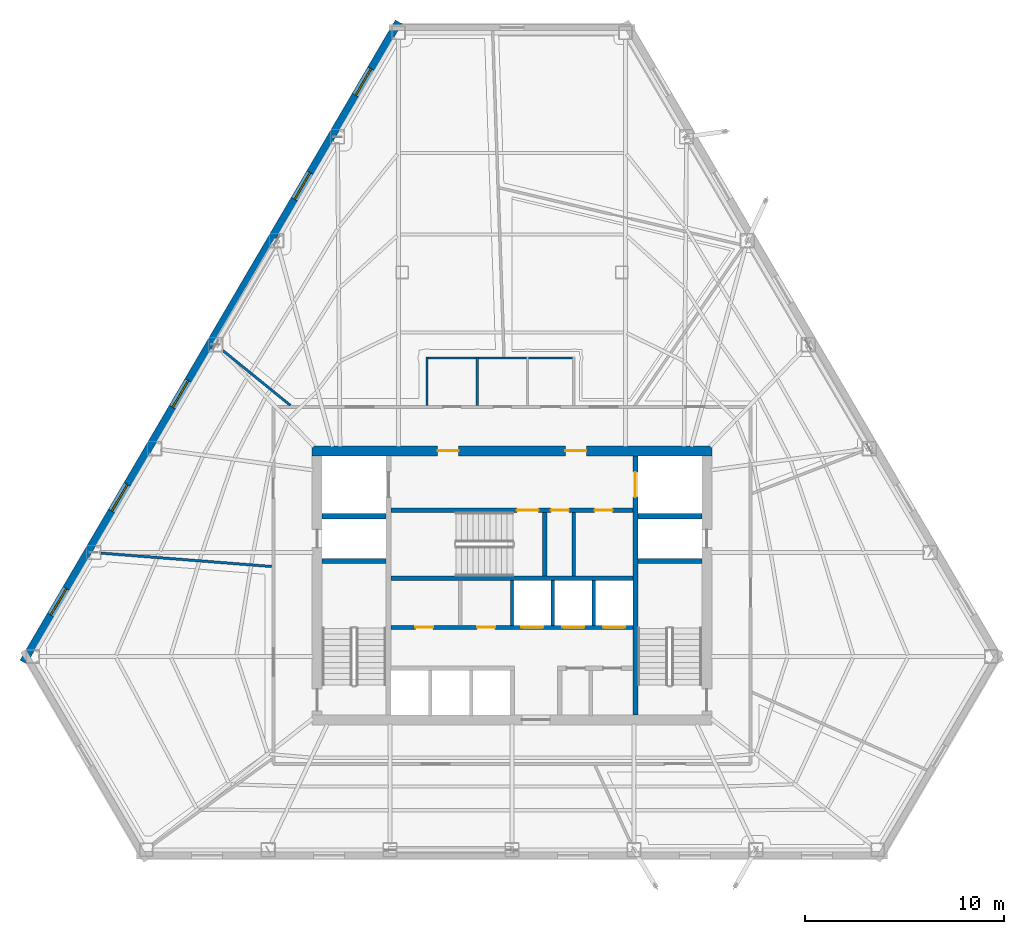
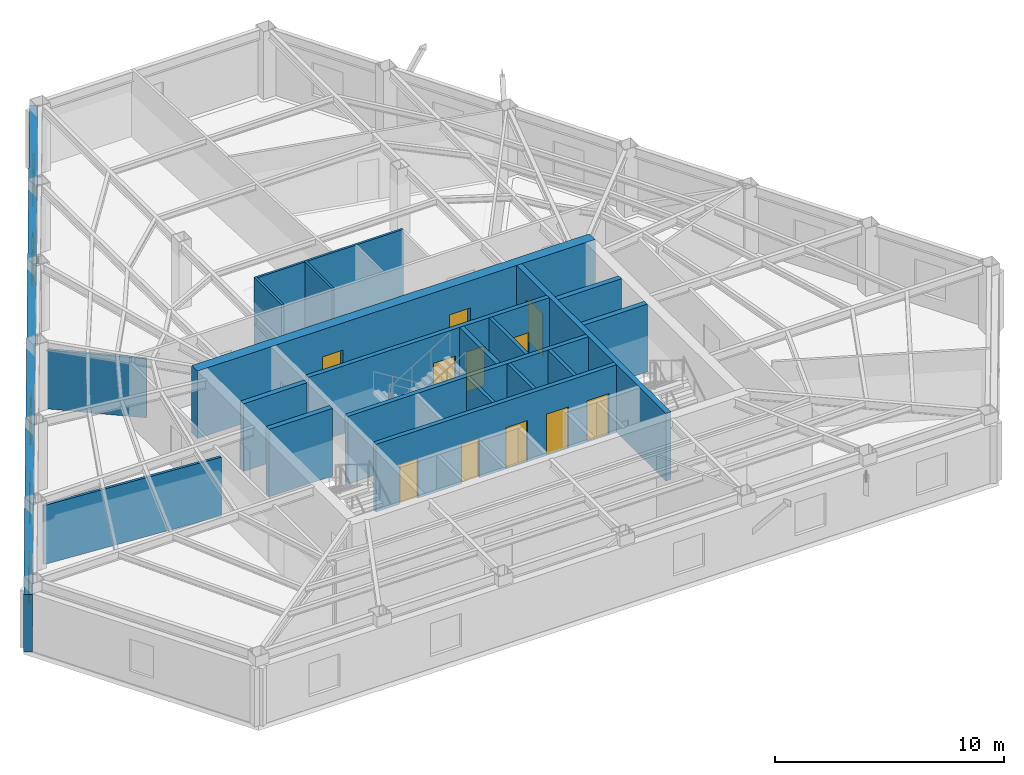
# One storey, part 9 of 13: 20 walls, 11 doors, 5 windows, 16 openings.
"""IFC4 building model written with IfcOpenShell, lengths in metres."""

from ifc_helpers import new_model, si_unit, direction, frame, frame_2d, origin, place, context, subcontext, project, spatial, rectangle, extrude, material, layer, layer_set, type_object, element, fill, save


model = new_model("IFC4")

# Units and contexts
model_context = context("Model", 3, precision=1e-05, world=origin(), true_north=direction((0.0, 1.0)))
body_context = subcontext(model_context, "Body", "Model", "MODEL_VIEW")
ifc_project = project(units=[si_unit("LENGTHUNIT", "METRE"), si_unit("AREAUNIT", "SQUARE_METRE"), si_unit("VOLUMEUNIT", "CUBIC_METRE"), si_unit("PLANEANGLEUNIT", "RADIAN"), si_unit("MASSUNIT", "GRAM", prefix="KILO")], contexts=[model_context])

# Site, building, storey
site_placement = place(None, origin())
site = spatial("IfcSite", under=ifc_project, at=site_placement, CompositionType="ELEMENT")
building_placement = place(site_placement, origin())
building = spatial("IfcBuilding", under=site, at=building_placement, Name="Kavelnor Concourse Tower", CompositionType="ELEMENT")
storey_placement = place(building_placement, frame((0.0, 0.0, 131.699951171875)))
storey = spatial("IfcBuildingStorey", under=building, at=storey_placement, Name="L33", CompositionType="ELEMENT", Elevation=131.699951171875)

# Wall, openings, doors
ifc_material_1 = material(Name="Concrete C60/75", Category="concrete")
ifc_layer_1 = layer(ifc_material_1, 0.5, Name="Concrete C60/75")
ifc_layer_set_1 = layer_set([ifc_layer_1], Name="Concrete C60/75")
wall_type_1 = type_object("IfcWallType", Name="WL-CORE-Z2-500", PredefinedType="SOLIDWALL", material=ifc_layer_set_1)
wall_1_placement = place(storey_placement, frame((27.97998046875, 22.85009765625, 0.0), z_axis=(0.0, 0.0, 1.0), x_axis=(1.0, 0.0, 0.0)))
wall_1 = element("IfcWall", 1, at=wall_1_placement, inside=storey, type_object=wall_type_1, Name="L33 Central Core North Shear Wall", PredefinedType="SOLIDWALL", context=body_context, shape_type="SweptSolid", body=[
    extrude(rectangle(XDim=20.0400390625, YDim=0.5, at=frame_2d((10.02001953125, 0.0))), origin(), (0.0, 0.0, 1.0), 3.60009765625),
])
opening_1_placement = place(wall_1_placement, frame((6.294921875, 0.0, 0.0)))
opening_1 = element("IfcOpeningElement", 2, at=opening_1_placement, cuts=wall_1, Name="Opening FD-105", PredefinedType="OPENING", context=body_context, shape_type="SweptSolid", body=[
    extrude(rectangle(XDim=1.050048828125, YDim=2.14990234375, at=frame_2d((0.52490234375, 1.074951171875))), frame((0.0, 0.260009765625, 0.0), z_axis=(0.0, -1.0, 0.0), x_axis=(1.0, 0.0, 0.0)), (0.0, 0.0, 1.0), 0.52001953125),
])
opening_2_placement = place(wall_1_placement, frame((12.695068359375, 0.0, 0.0)))
opening_2 = element("IfcOpeningElement", 3, at=opening_2_placement, cuts=wall_1, Name="Opening FD-105", PredefinedType="OPENING", context=body_context, shape_type="SweptSolid", body=[
    extrude(rectangle(XDim=1.050048828125, YDim=2.14990234375, at=frame_2d((0.52490234375, 1.074951171875))), frame((0.0, 0.260009765625, 0.0), z_axis=(0.0, -1.0, 0.0), x_axis=(1.0, 0.0, 0.0)), (0.0, 0.0, 1.0), 0.52001953125),
])
ifc_material_2 = material(Name="Steel Grade 350", Category="steel")
door_type_1 = type_object("IfcDoorType", Name="DR-LOBBY-FIRE-1050", OperationType="NOTDEFINED", PredefinedType="DOOR", material=ifc_material_2)
door_1_placement = place(opening_1_placement, origin())
door_1 = element("IfcDoor", 4, at=door_1_placement, inside=storey, type_object=door_type_1, Name="L33 Emergency Lift Lobby West Door", OperationType="SINGLE_SWING_LEFT", OverallHeight=2.14990234375, OverallWidth=1.050048828125, PredefinedType="DOOR", context=body_context, shape_type="SweptSolid", body=[
    extrude(rectangle(XDim=1.050048828125, YDim=2.14990234375, at=frame_2d((0.52490234375, 1.074951171875))), frame((0.0, 0.02490234375, 0.0), z_axis=(0.0, -1.0, 0.0), x_axis=(1.0, 0.0, 0.0)), (0.0, 0.0, 1.0), 0.050048828125),
])
fill(opening_1, door_1)
door_2_placement = place(opening_2_placement, origin())
door_2 = element("IfcDoor", 5, at=door_2_placement, inside=storey, type_object=door_type_1, Name="L33 Emergency Lift Lobby East Door", OperationType="SINGLE_SWING_RIGHT", OverallHeight=2.14990234375, OverallWidth=1.050048828125, PredefinedType="DOOR", context=body_context, shape_type="SweptSolid", body=[
    extrude(rectangle(XDim=1.050048828125, YDim=2.14990234375, at=frame_2d((0.52490234375, 1.074951171875))), frame((0.0, 0.02490234375, 0.0), z_axis=(0.0, -1.0, 0.0), x_axis=(1.0, 0.0, 0.0)), (0.0, 0.0, 1.0), 0.050048828125),
])
fill(opening_2, door_2)

# Wall, openings, windows
ifc_material_3 = material(Name="Red-ochre clay face brick masonry", Category="masonry")
ifc_layer_2 = layer(ifc_material_3, 0.3798828125, Name="Red-ochre clay face brick masonry")
ifc_layer_set_2 = layer_set([ifc_layer_2], Name="Red-ochre clay face brick masonry")
wall_type_2 = type_object("IfcWallType", Name="WL-EXT-RED-BRICK-PIER-380", PredefinedType="STANDARD", material=ifc_layer_set_2)
wall_2_placement = place(storey_placement, frame((13.48486328125, 12.25439453125, 0.0), z_axis=(0.0, 0.0, 1.0), x_axis=(0.505829244079, 0.862633627813, 0.0)))
wall_2 = element("IfcWall", 6, at=wall_2_placement, inside=storey, type_object=wall_type_2, Name="L33 Exterior Brick Facade Wall E1", PredefinedType="STANDARD", context=body_context, shape_type="SweptSolid", body=[
    extrude(rectangle(XDim=37.22265625, YDim=0.3798828125, at=frame_2d((18.611328125, 0.0))), origin(), (0.0, 0.0, 1.0), 3.05908203125),
])
opening_3_placement = place(wall_2_placement, frame((32.95068359375, 0.0, 0.64990234375)))
opening_3 = element("IfcOpeningElement", 7, at=opening_3_placement, cuts=wall_2, Name="Opening W-02", PredefinedType="OPENING", context=body_context, shape_type="SweptSolid", body=[
    extrude(rectangle(XDim=1.550048828125, YDim=1.75, at=frame_2d((0.77490234375, 0.875))), frame((0.0, 0.199951171875, 0.0), z_axis=(0.0, -1.0, 0.0), x_axis=(1.0, 0.0, 0.0)), (0.0, 0.0, 1.0), 0.39990234375),
])
opening_4_placement = place(wall_2_placement, frame((26.90625, 0.0, 0.64990234375)))
opening_4 = element("IfcOpeningElement", 8, at=opening_4_placement, cuts=wall_2, Name="Opening W-02", PredefinedType="OPENING", context=body_context, shape_type="SweptSolid", body=[
    extrude(rectangle(XDim=1.550048828125, YDim=1.75, at=frame_2d((0.77490234375, 0.875))), frame((0.0, 0.199951171875, 0.0), z_axis=(0.0, -1.0, 0.0), x_axis=(1.0, 0.0, 0.0)), (0.0, 0.0, 1.0), 0.39990234375),
])
opening_5_placement = place(wall_2_placement, frame((14.8173828125, 0.0, 0.64990234375)))
opening_5 = element("IfcOpeningElement", 9, at=opening_5_placement, cuts=wall_2, Name="Opening W-02", PredefinedType="OPENING", context=body_context, shape_type="SweptSolid", body=[
    extrude(rectangle(XDim=1.550048828125, YDim=1.75, at=frame_2d((0.77490234375, 0.875))), frame((0.0, 0.199951171875, 0.0), z_axis=(0.0, -1.0, 0.0), x_axis=(1.0, 0.0, 0.0)), (0.0, 0.0, 1.0), 0.39990234375),
])
opening_6_placement = place(wall_2_placement, frame((8.773193359375, 0.0, 0.64990234375)))
opening_6 = element("IfcOpeningElement", 10, at=opening_6_placement, cuts=wall_2, Name="Opening W-02", PredefinedType="OPENING", context=body_context, shape_type="SweptSolid", body=[
    extrude(rectangle(XDim=1.550048828125, YDim=1.75, at=frame_2d((0.77490234375, 0.875))), frame((0.0, 0.199951171875, 0.0), z_axis=(0.0, -1.0, 0.0), x_axis=(1.0, 0.0, 0.0)), (0.0, 0.0, 1.0), 0.39990234375),
])
opening_7_placement = place(wall_2_placement, frame((2.728759765625, 0.0, 0.64990234375)))
opening_7 = element("IfcOpeningElement", 11, at=opening_7_placement, cuts=wall_2, Name="Opening W-02", PredefinedType="OPENING", context=body_context, shape_type="SweptSolid", body=[
    extrude(rectangle(XDim=1.550048828125, YDim=1.75, at=frame_2d((0.77490234375, 0.875))), frame((0.0, 0.199951171875, 0.0), z_axis=(0.0, -1.0, 0.0), x_axis=(1.0, 0.0, 0.0)), (0.0, 0.0, 1.0), 0.39990234375),
])
ifc_material_4 = material(Name="Double low-E argon insulated glazing", Category="glass")
window_type = type_object("IfcWindowType", Name="WIN-PIER-Z2-1650", PartitioningType="SINGLE_PANEL", PredefinedType="WINDOW", material=ifc_material_4)
window_1_placement = place(opening_3_placement, origin())
window_1 = element("IfcWindow", 12, at=window_1_placement, inside=storey, type_object=window_type, Name="L33 Deep-Set Brick Pier Window F0-B0", OverallHeight=1.75, OverallWidth=1.550048828125, PartitioningType="SINGLE_PANEL", PredefinedType="WINDOW", context=body_context, shape_type="SweptSolid", body=[
    extrude(rectangle(XDim=1.550048828125, YDim=1.75, at=frame_2d((0.77490234375, 0.875))), frame((0.0, 0.030029296875, 0.0), z_axis=(0.0, -1.0, 0.0), x_axis=(1.0, 0.0, 0.0)), (0.0, 0.0, 1.0), 0.06005859375),
])
fill(opening_3, window_1)
window_2_placement = place(opening_4_placement, origin())
window_2 = element("IfcWindow", 13, at=window_2_placement, inside=storey, type_object=window_type, Name="L33 Deep-Set Brick Pier Window F0-B1", OverallHeight=1.75, OverallWidth=1.550048828125, PartitioningType="SINGLE_PANEL", PredefinedType="WINDOW", context=body_context, shape_type="SweptSolid", body=[
    extrude(rectangle(XDim=1.550048828125, YDim=1.75, at=frame_2d((0.77490234375, 0.875))), frame((0.0, 0.030029296875, 0.0), z_axis=(0.0, -1.0, 0.0), x_axis=(1.0, 0.0, 0.0)), (0.0, 0.0, 1.0), 0.06005859375),
])
fill(opening_4, window_2)
window_3_placement = place(opening_5_placement, origin())
window_3 = element("IfcWindow", 14, at=window_3_placement, inside=storey, type_object=window_type, Name="L33 Deep-Set Brick Pier Window F0-B3", OverallHeight=1.75, OverallWidth=1.550048828125, PartitioningType="SINGLE_PANEL", PredefinedType="WINDOW", context=body_context, shape_type="SweptSolid", body=[
    extrude(rectangle(XDim=1.550048828125, YDim=1.75, at=frame_2d((0.77490234375, 0.875))), frame((0.0, 0.030029296875, 0.0), z_axis=(0.0, -1.0, 0.0), x_axis=(1.0, 0.0, 0.0)), (0.0, 0.0, 1.0), 0.06005859375),
])
fill(opening_5, window_3)
window_4_placement = place(opening_6_placement, origin())
window_4 = element("IfcWindow", 15, at=window_4_placement, inside=storey, type_object=window_type, Name="L33 Deep-Set Brick Pier Window F0-B4", OverallHeight=1.75, OverallWidth=1.550048828125, PartitioningType="SINGLE_PANEL", PredefinedType="WINDOW", context=body_context, shape_type="SweptSolid", body=[
    extrude(rectangle(XDim=1.550048828125, YDim=1.75, at=frame_2d((0.77490234375, 0.875))), frame((0.0, 0.030029296875, 0.0), z_axis=(0.0, -1.0, 0.0), x_axis=(1.0, 0.0, 0.0)), (0.0, 0.0, 1.0), 0.06005859375),
])
fill(opening_6, window_4)
window_5_placement = place(opening_7_placement, origin())
window_5 = element("IfcWindow", 16, at=window_5_placement, inside=storey, type_object=window_type, Name="L33 Deep-Set Brick Pier Window F0-B5", OverallHeight=1.75, OverallWidth=1.550048828125, PartitioningType="SINGLE_PANEL", PredefinedType="WINDOW", context=body_context, shape_type="SweptSolid", body=[
    extrude(rectangle(XDim=1.550048828125, YDim=1.75, at=frame_2d((0.77490234375, 0.875))), frame((0.0, 0.030029296875, 0.0), z_axis=(0.0, -1.0, 0.0), x_axis=(1.0, 0.0, 0.0)), (0.0, 0.0, 1.0), 0.06005859375),
])
fill(opening_7, window_5)

# Walls
ifc_material_5 = material(Name="Gypsum plasterboard on light-gauge steel studs", Category="steel")
ifc_layer_3 = layer(ifc_material_5, 0.1650390625, Name="Gypsum plasterboard on light-gauge steel studs")
ifc_layer_set_3 = layer_set([ifc_layer_3], Name="Gypsum plasterboard on light-gauge steel studs")
wall_type_3 = type_object("IfcWallType", Name="WL-INT-FIRE-165", PredefinedType="PARTITIONING", material=ifc_layer_set_3)
for number, where, z_axis, x_axis, name in (
    (17, (38.0, 14.10009765625, 0.0), (0.0, 0.0, 1.0), (0.0, 1.0, 0.0), "L33 Reclaimed Core Zone Partition"),
    (18, (40.050048828125, 14.10009765625, 0.0), (0.0, 0.0, 1.0), (0.0, 1.0, 0.0), "L33 Lift Shaft Divider LP4"),
    (19, (42.10009765625, 14.10009765625, 0.0), (0.0, 0.0, 1.0), (0.0, 1.0, 0.0), "L33 Lift Shaft Divider LP5"),
):
    element("IfcWall", number, at=place(storey_placement, frame(where, z_axis=z_axis, x_axis=x_axis)), inside=storey, type_object=wall_type_3, Name=name, PredefinedType="PARTITIONING", context=body_context, shape_type="SweptSolid", body=[
        extrude(rectangle(XDim=2.239990234375, YDim=0.1650390625, at=frame_2d((1.1201171875, 0.0))), origin(), (0.0, 0.0, 1.0), 3.60009765625),
    ])
wall_3_placement = place(storey_placement, frame((41.10009765625, 16.56005859375, 0.0), z_axis=(0.0, 0.0, 1.0), x_axis=(0.0, 1.0, 0.0)))
element("IfcWall", 20, at=wall_3_placement, inside=storey, type_object=wall_type_3, Name="L33 Core Support West Divider", PredefinedType="PARTITIONING", context=body_context, shape_type="SweptSolid", body=[
    extrude(rectangle(XDim=3.199951171875, YDim=0.1650390625, at=frame_2d((1.60009765625, 0.0))), origin(), (0.0, 0.0, 1.0), 3.60009765625),
])
ifc_layer_4 = layer(ifc_material_5, 0.125, Name="Gypsum plasterboard on light-gauge steel studs")
ifc_layer_set_4 = layer_set([ifc_layer_4], Name="Gypsum plasterboard on light-gauge steel studs")
wall_type_4 = type_object("IfcWallType", Name="WL-INT-SUITE-125", PredefinedType="PARTITIONING", material=ifc_layer_set_4)
wall_4_placement = place(storey_placement, frame((26.88232421875, 25.130615234375, 0.0), z_axis=(0.0, 0.0, 1.0), x_axis=(-0.776187723066, 0.630501878317, 0.0)))
element("IfcWall", 21, at=wall_4_placement, inside=storey, type_object=wall_type_4, Name="L33 Radial Suite Partition 04", PredefinedType="PARTITIONING", context=body_context, shape_type="SweptSolid", body=[
    extrude(rectangle(XDim=4.35546875, YDim=0.125, at=frame_2d((2.177734375, 0.0))), origin(), (0.0, 0.0, 1.0), 3.14111328125),
])
wall_5_placement = place(storey_placement, frame((25.949462890625, 17.046142578125, 0.0), z_axis=(0.0, 0.0, 1.0), x_axis=(-0.996931335541, 0.078280982467, 0.0)))
element("IfcWall", 22, at=wall_5_placement, inside=storey, type_object=wall_type_4, Name="L33 Radial Suite Partition 05", PredefinedType="PARTITIONING", context=body_context, shape_type="SweptSolid", body=[
    extrude(rectangle(XDim=8.589111328125, YDim=0.125, at=frame_2d((4.29443359375, 0.0))), origin(), (0.0, 0.0, 1.0), 3.14111328125),
])
ifc_layer_5 = layer(ifc_material_5, 0.110107421875, Name="Gypsum plasterboard on light-gauge steel studs")
ifc_layer_set_5 = layer_set([ifc_layer_5], Name="Gypsum plasterboard on light-gauge steel studs")
wall_type_5 = type_object("IfcWallType", Name="WL-INT-WC-110", PredefinedType="PLUMBINGWALL", material=ifc_layer_set_5)
for number, where, z_axis, x_axis, name in (
    (23, (33.739990234375, 25.1201171875, 0.0), (0.0, 0.0, 1.0), (0.0, 1.0, 0.0), "L33 Sanitary Partition WL-L33-WC-W"),
    (24, (36.260009765625, 25.1201171875, 0.0), (0.0, 0.0, 1.0), (0.0, 1.0, 0.0), "L33 Sanitary Partition WL-L33-WC-D1"),
):
    element("IfcWall", number, at=place(storey_placement, frame(where, z_axis=z_axis, x_axis=x_axis)), inside=storey, type_object=wall_type_5, Name=name, PredefinedType="PLUMBINGWALL", context=body_context, shape_type="SweptSolid", body=[
        extrude(rectangle(XDim=2.43994140625, YDim=0.110107421875, at=frame_2d((1.219970703125, 0.0))), origin(), (0.0, 0.0, 1.0), 3.60009765625),
    ])
wall_6_placement = place(storey_placement, frame((33.68994140625, 27.5, 0.0), z_axis=(0.0, 0.0, 1.0), x_axis=(1.0, 0.0, 0.0)))
element("IfcWall", 25, at=wall_6_placement, inside=storey, type_object=wall_type_5, Name="L33 Sanitary Partition WL-L33-WC-N", PredefinedType="PLUMBINGWALL", context=body_context, shape_type="SweptSolid", body=[
    extrude(rectangle(XDim=7.4599609375, YDim=0.110107421875, at=frame_2d((3.72998046875, 0.0))), origin(), (0.0, 0.0, 1.0), 3.60009765625),
])

# Wall, openings, doors
ifc_material_6 = material(Name="Concrete C50/60", Category="concrete")
ifc_layer_6 = layer(ifc_material_6, 0.219970703125, Name="Concrete C50/60")
ifc_layer_set_6 = layer_set([ifc_layer_6], Name="Concrete C50/60")
wall_type_6 = type_object("IfcWallType", Name="WL-SHAFT-220", PredefinedType="SOLIDWALL", material=ifc_layer_set_6)
wall_7_placement = place(storey_placement, frame((31.93994140625, 19.8701171875, 0.0), z_axis=(0.0, 0.0, 1.0), x_axis=(1.0, 0.0, 0.0)))
wall_7 = element("IfcWall", 26, at=wall_7_placement, inside=storey, type_object=wall_type_6, Name="L33 Emergency Lift Lobby South Wall", PredefinedType="SOLIDWALL", context=body_context, shape_type="SweptSolid", body=[
    extrude(rectangle(XDim=12.1201171875, YDim=0.219970703125, at=frame_2d((6.06005859375, 0.0))), origin(), (0.0, 0.0, 1.0), 3.60009765625),
])
opening_8_placement = place(wall_7_placement, frame((6.300048828125, 0.0, 0.0)))
opening_8 = element("IfcOpeningElement", 27, at=opening_8_placement, cuts=wall_7, Name="Opening FD-110", PredefinedType="OPENING", context=body_context, shape_type="SweptSolid", body=[
    extrude(rectangle(XDim=1.10009765625, YDim=2.14990234375, at=frame_2d((0.550048828125, 1.074951171875))), frame((0.0, 0.1201171875, 0.0), z_axis=(0.0, -1.0, 0.0), x_axis=(1.0, 0.0, 0.0)), (0.0, 0.0, 1.0), 0.239990234375),
])
opening_9_placement = place(wall_7_placement, frame((8.010009765625, 0.0, 0.0)))
opening_9 = element("IfcOpeningElement", 28, at=opening_9_placement, cuts=wall_7, Name="Opening FD-090", PredefinedType="OPENING", context=body_context, shape_type="SweptSolid", body=[
    extrude(rectangle(XDim=0.89990234375, YDim=2.10009765625, at=frame_2d((0.449951171875, 1.050048828125))), frame((0.0, 0.1201171875, 0.0), z_axis=(0.0, -1.0, 0.0), x_axis=(1.0, 0.0, 0.0)), (0.0, 0.0, 1.0), 0.239990234375),
])
opening_10_placement = place(wall_7_placement, frame((10.2099609375, 0.0, 0.0)))
opening_10 = element("IfcOpeningElement", 29, at=opening_10_placement, cuts=wall_7, Name="Opening FD-090", PredefinedType="OPENING", context=body_context, shape_type="SweptSolid", body=[
    extrude(rectangle(XDim=0.89990234375, YDim=2.10009765625, at=frame_2d((0.449951171875, 1.050048828125))), frame((0.0, 0.1201171875, 0.0), z_axis=(0.0, -1.0, 0.0), x_axis=(1.0, 0.0, 0.0)), (0.0, 0.0, 1.0), 0.239990234375),
])
door_type_2 = type_object("IfcDoorType", Name="DR-RISER-FIRE-900", OperationType="NOTDEFINED", PredefinedType="DOOR", material=ifc_material_2)
door_3_placement = place(opening_9_placement, origin())
door_3 = element("IfcDoor", 30, at=door_3_placement, inside=storey, type_object=door_type_2, Name="L33 Cleaner Door", OperationType="SINGLE_SWING_RIGHT", OverallHeight=2.10009765625, OverallWidth=0.89990234375, PredefinedType="DOOR", context=body_context, shape_type="SweptSolid", body=[
    extrude(rectangle(XDim=0.89990234375, YDim=2.10009765625, at=frame_2d((0.449951171875, 1.050048828125))), frame((0.0, 0.02490234375, 0.0), z_axis=(0.0, -1.0, 0.0), x_axis=(1.0, 0.0, 0.0)), (0.0, 0.0, 1.0), 0.050048828125),
])
fill(opening_9, door_3)
door_4_placement = place(opening_10_placement, origin())
door_4 = element("IfcDoor", 31, at=door_4_placement, inside=storey, type_object=door_type_2, Name="L33 UPS Room Door", OperationType="SINGLE_SWING_LEFT", OverallHeight=2.10009765625, OverallWidth=0.89990234375, PredefinedType="DOOR", context=body_context, shape_type="SweptSolid", body=[
    extrude(rectangle(XDim=0.89990234375, YDim=2.10009765625, at=frame_2d((0.449951171875, 1.050048828125))), frame((0.0, 0.02490234375, 0.0), z_axis=(0.0, -1.0, 0.0), x_axis=(1.0, 0.0, 0.0)), (0.0, 0.0, 1.0), 0.050048828125),
])
fill(opening_10, door_4)
door_type_3 = type_object("IfcDoorType", Name="DR-STAIR-FIRE-1100", OperationType="NOTDEFINED", PredefinedType="DOOR", material=ifc_material_2)
door_5_placement = place(opening_8_placement, origin())
door_5 = element("IfcDoor", 32, at=door_5_placement, inside=storey, type_object=door_type_3, Name="L33 Stair ST3 Fire Door", OperationType="SINGLE_SWING_LEFT", OverallHeight=2.14990234375, OverallWidth=1.10009765625, PredefinedType="DOOR", context=body_context, shape_type="SweptSolid", body=[
    extrude(rectangle(XDim=1.10009765625, YDim=2.14990234375, at=frame_2d((0.550048828125, 1.074951171875))), frame((0.0, 0.02490234375, 0.0), z_axis=(0.0, -1.0, 0.0), x_axis=(1.0, 0.0, 0.0)), (0.0, 0.0, 1.0), 0.050048828125),
])
fill(opening_8, door_5)

# Walls
wall_8_placement = place(storey_placement, frame((31.93994140625, 16.449951171875, 0.0), z_axis=(0.0, 0.0, 1.0), x_axis=(1.0, 0.0, 0.0)))
element("IfcWall", 33, at=wall_8_placement, inside=storey, type_object=wall_type_6, Name="L33 Stair ST3 South Core Wall", PredefinedType="SOLIDWALL", context=body_context, shape_type="SweptSolid", body=[
    extrude(rectangle(XDim=12.1201171875, YDim=0.219970703125, at=frame_2d((6.06005859375, 0.0))), origin(), (0.0, 0.0, 1.0), 3.60009765625),
])
wall_9_placement = place(storey_placement, frame((39.64990234375, 16.56005859375, 0.0), z_axis=(0.0, 0.0, 1.0), x_axis=(0.0, 1.0, 0.0)))
element("IfcWall", 34, at=wall_9_placement, inside=storey, type_object=wall_type_6, Name="L33 Stair ST3 East Core Wall", PredefinedType="SOLIDWALL", context=body_context, shape_type="SweptSolid", body=[
    extrude(rectangle(XDim=3.199951171875, YDim=0.219970703125, at=frame_2d((1.60009765625, 0.0))), origin(), (0.0, 0.0, 1.0), 3.60009765625),
])

# Wall, openings, doors
wall_10_placement = place(storey_placement, frame((31.93994140625, 13.989990234375, 0.0), z_axis=(0.0, 0.0, 1.0), x_axis=(1.0, 0.0, 0.0)))
wall_10 = element("IfcWall", 35, at=wall_10_placement, inside=storey, type_object=wall_type_6, Name="L33 North Lift Row Shaft Wall", PredefinedType="SOLIDWALL", context=body_context, shape_type="SweptSolid", body=[
    extrude(rectangle(XDim=12.1201171875, YDim=0.219970703125, at=frame_2d((6.06005859375, 0.0))), origin(), (0.0, 0.0, 1.0), 3.60009765625),
])
opening_11_placement = place(wall_10_placement, frame((1.2099609375, 0.0, 0.0)))
opening_11 = element("IfcOpeningElement", 36, at=opening_11_placement, cuts=wall_10, Name="Opening FD-090", PredefinedType="OPENING", context=body_context, shape_type="SweptSolid", body=[
    extrude(rectangle(XDim=0.89990234375, YDim=2.10009765625, at=frame_2d((0.449951171875, 1.050048828125))), frame((0.0, 0.1201171875, 0.0), z_axis=(0.0, -1.0, 0.0), x_axis=(1.0, 0.0, 0.0)), (0.0, 0.0, 1.0), 0.239990234375),
])
opening_12_placement = place(wall_10_placement, frame((4.31005859375, 0.0, 0.0)))
opening_12 = element("IfcOpeningElement", 37, at=opening_12_placement, cuts=wall_10, Name="Opening FD-090", PredefinedType="OPENING", context=body_context, shape_type="SweptSolid", body=[
    extrude(rectangle(XDim=0.89990234375, YDim=2.10009765625, at=frame_2d((0.449951171875, 1.050048828125))), frame((0.0, 0.1201171875, 0.0), z_axis=(0.0, -1.0, 0.0), x_axis=(1.0, 0.0, 0.0)), (0.0, 0.0, 1.0), 0.239990234375),
])
opening_13_placement = place(wall_10_placement, frame((6.534912109375, 0.0, 0.0)))
opening_13 = element("IfcOpeningElement", 38, at=opening_13_placement, cuts=wall_10, Name="Opening LD-110", PredefinedType="OPENING", context=body_context, shape_type="SweptSolid", body=[
    extrude(rectangle(XDim=1.10009765625, YDim=2.199951171875, at=frame_2d((0.550048828125, 1.10009765625))), frame((0.0, 0.1201171875, 0.0), z_axis=(0.0, -1.0, 0.0), x_axis=(1.0, 0.0, 0.0)), (0.0, 0.0, 1.0), 0.239990234375),
])
opening_14_placement = place(wall_10_placement, frame((8.5849609375, 0.0, 0.0)))
opening_14 = element("IfcOpeningElement", 39, at=opening_14_placement, cuts=wall_10, Name="Opening LD-110", PredefinedType="OPENING", context=body_context, shape_type="SweptSolid", body=[
    extrude(rectangle(XDim=1.10009765625, YDim=2.199951171875, at=frame_2d((0.550048828125, 1.10009765625))), frame((0.0, 0.1201171875, 0.0), z_axis=(0.0, -1.0, 0.0), x_axis=(1.0, 0.0, 0.0)), (0.0, 0.0, 1.0), 0.239990234375),
])
opening_15_placement = place(wall_10_placement, frame((10.635009765625, 0.0, 0.0)))
opening_15 = element("IfcOpeningElement", 40, at=opening_15_placement, cuts=wall_10, Name="Opening LD-110", PredefinedType="OPENING", context=body_context, shape_type="SweptSolid", body=[
    extrude(rectangle(XDim=1.10009765625, YDim=2.199951171875, at=frame_2d((0.550048828125, 1.10009765625))), frame((0.0, 0.1201171875, 0.0), z_axis=(0.0, -1.0, 0.0), x_axis=(1.0, 0.0, 0.0)), (0.0, 0.0, 1.0), 0.239990234375),
])
door_type_4 = type_object("IfcDoorType", Name="DR-LIFT-SLIDING-1100", OperationType="NOTDEFINED", PredefinedType="DOOR", material=ifc_material_2)
door_6_placement = place(opening_13_placement, origin())
door_6 = element("IfcDoor", 41, at=door_6_placement, inside=storey, type_object=door_type_4, Name="L33 Lift LP4 Landing Door", OperationType="DOUBLE_DOOR_SLIDING", OverallHeight=2.199951171875, OverallWidth=1.10009765625, PredefinedType="DOOR", context=body_context, shape_type="SweptSolid", body=[
    extrude(rectangle(XDim=1.10009765625, YDim=2.199951171875, at=frame_2d((0.550048828125, 1.10009765625))), frame((0.0, 0.02490234375, 0.0), z_axis=(0.0, -1.0, 0.0), x_axis=(1.0, 0.0, 0.0)), (0.0, 0.0, 1.0), 0.050048828125),
])
fill(opening_13, door_6)
door_7_placement = place(opening_14_placement, origin())
door_7 = element("IfcDoor", 42, at=door_7_placement, inside=storey, type_object=door_type_4, Name="L33 Lift LP5 Landing Door", OperationType="DOUBLE_DOOR_SLIDING", OverallHeight=2.199951171875, OverallWidth=1.10009765625, PredefinedType="DOOR", context=body_context, shape_type="SweptSolid", body=[
    extrude(rectangle(XDim=1.10009765625, YDim=2.199951171875, at=frame_2d((0.550048828125, 1.10009765625))), frame((0.0, 0.02490234375, 0.0), z_axis=(0.0, -1.0, 0.0), x_axis=(1.0, 0.0, 0.0)), (0.0, 0.0, 1.0), 0.050048828125),
])
fill(opening_14, door_7)
door_8_placement = place(opening_15_placement, origin())
door_8 = element("IfcDoor", 43, at=door_8_placement, inside=storey, type_object=door_type_4, Name="L33 Lift LP6 Landing Door", OperationType="DOUBLE_DOOR_SLIDING", OverallHeight=2.199951171875, OverallWidth=1.10009765625, PredefinedType="DOOR", context=body_context, shape_type="SweptSolid", body=[
    extrude(rectangle(XDim=1.10009765625, YDim=2.199951171875, at=frame_2d((0.550048828125, 1.10009765625))), frame((0.0, 0.02490234375, 0.0), z_axis=(0.0, -1.0, 0.0), x_axis=(1.0, 0.0, 0.0)), (0.0, 0.0, 1.0), 0.050048828125),
])
fill(opening_15, door_8)
door_9_placement = place(opening_11_placement, origin())
door_9 = element("IfcDoor", 44, at=door_9_placement, inside=storey, type_object=door_type_2, Name="L33 Core Tea Pantry Door", OperationType="SINGLE_SWING_RIGHT", OverallHeight=2.10009765625, OverallWidth=0.89990234375, PredefinedType="DOOR", context=body_context, shape_type="SweptSolid", body=[
    extrude(rectangle(XDim=0.89990234375, YDim=2.10009765625, at=frame_2d((0.449951171875, 1.050048828125))), frame((0.0, 0.02490234375, 0.0), z_axis=(0.0, -1.0, 0.0), x_axis=(1.0, 0.0, 0.0)), (0.0, 0.0, 1.0), 0.050048828125),
])
fill(opening_11, door_9)
door_10_placement = place(opening_12_placement, origin())
door_10 = element("IfcDoor", 45, at=door_10_placement, inside=storey, type_object=door_type_2, Name="L33 Archive Store Door", OperationType="SINGLE_SWING_LEFT", OverallHeight=2.10009765625, OverallWidth=0.89990234375, PredefinedType="DOOR", context=body_context, shape_type="SweptSolid", body=[
    extrude(rectangle(XDim=0.89990234375, YDim=2.10009765625, at=frame_2d((0.449951171875, 1.050048828125))), frame((0.0, 0.02490234375, 0.0), z_axis=(0.0, -1.0, 0.0), x_axis=(1.0, 0.0, 0.0)), (0.0, 0.0, 1.0), 0.050048828125),
])
fill(opening_12, door_10)

# Wall, opening, door
ifc_layer_7 = layer(ifc_material_6, 0.260009765625, Name="Concrete C50/60")
ifc_layer_set_7 = layer_set([ifc_layer_7], Name="Concrete C50/60")
wall_type_7 = type_object("IfcWallType", Name="WL-SHAFT-260", PredefinedType="SHEAR", material=ifc_layer_set_7)
wall_11_placement = place(storey_placement, frame((44.18994140625, 9.60009765625, 0.0), z_axis=(0.0, 0.0, 1.0), x_axis=(0.0, 1.0, 0.0)))
wall_11 = element("IfcWall", 46, at=wall_11_placement, inside=storey, type_object=wall_type_7, Name="L33 Core East Wing Shear Wall", PredefinedType="SHEAR", context=body_context, shape_type="SweptSolid", body=[
    extrude(rectangle(XDim=13.0, YDim=0.260009765625, at=frame_2d((6.5, 0.0))), origin(), (0.0, 0.0, 1.0), 3.60009765625),
])
opening_16_placement = place(wall_11_placement, frame((10.925048828125, 0.0, 0.0)))
opening_16 = element("IfcOpeningElement", 47, at=opening_16_placement, cuts=wall_11, Name="Opening LD-125", PredefinedType="OPENING", context=body_context, shape_type="SweptSolid", body=[
    extrude(rectangle(XDim=1.25, YDim=2.25, at=frame_2d((0.625, 1.125))), frame((0.0, 0.14013671875, 0.0), z_axis=(0.0, -1.0, 0.0), x_axis=(1.0, 0.0, 0.0)), (0.0, 0.0, 1.0), 0.280029296875),
])
door_type_5 = type_object("IfcDoorType", Name="DR-LIFT-SLIDING-1250", OperationType="NOTDEFINED", PredefinedType="DOOR", material=ifc_material_2)
door_11_placement = place(opening_16_placement, origin())
door_11 = element("IfcDoor", 48, at=door_11_placement, inside=storey, type_object=door_type_5, Name="L33 Emergency Lift FL2 Landing Door", OperationType="DOUBLE_DOOR_SLIDING", OverallHeight=2.25, OverallWidth=1.25, PredefinedType="DOOR", context=body_context, shape_type="SweptSolid", body=[
    extrude(rectangle(XDim=1.25, YDim=2.25, at=frame_2d((0.625, 1.125))), frame((0.0, 0.02490234375, 0.0), z_axis=(0.0, -1.0, 0.0), x_axis=(1.0, 0.0, 0.0)), (0.0, 0.0, 1.0), 0.050048828125),
])
fill(opening_16, door_11)

# Walls
for number, where, z_axis, x_axis, name in (
    (49, (28.47998046875, 17.330078125, 0.0), (0.0, 0.0, 1.0), (1.0, 0.0, 0.0), "L33 Stair ST1 North Shaft Wall"),
    (50, (28.47998046875, 19.570068359375, 0.0), (0.0, 0.0, 1.0), (1.0, 0.0, 0.0), "L33 Emergency Lift FL1 South Shaft Wall"),
    (51, (44.320068359375, 17.330078125, 0.0), (0.0, 0.0, 1.0), (1.0, 0.0, 0.0), "L33 Stair ST2 North Shaft Wall"),
    (52, (44.320068359375, 19.570068359375, 0.0), (0.0, 0.0, 1.0), (1.0, 0.0, 0.0), "L33 Emergency Lift FL2 South Shaft Wall"),
):
    element("IfcWall", number, at=place(storey_placement, frame(where, z_axis=z_axis, x_axis=x_axis)), inside=storey, type_object=wall_type_7, Name=name, PredefinedType="SHEAR", context=body_context, shape_type="SweptSolid", body=[
        extrude(rectangle(XDim=3.199951171875, YDim=0.260009765625, at=frame_2d((1.60009765625, 0.0))), origin(), (0.0, 0.0, 1.0), 3.60009765625),
    ])

save(model, "model.ifc")
